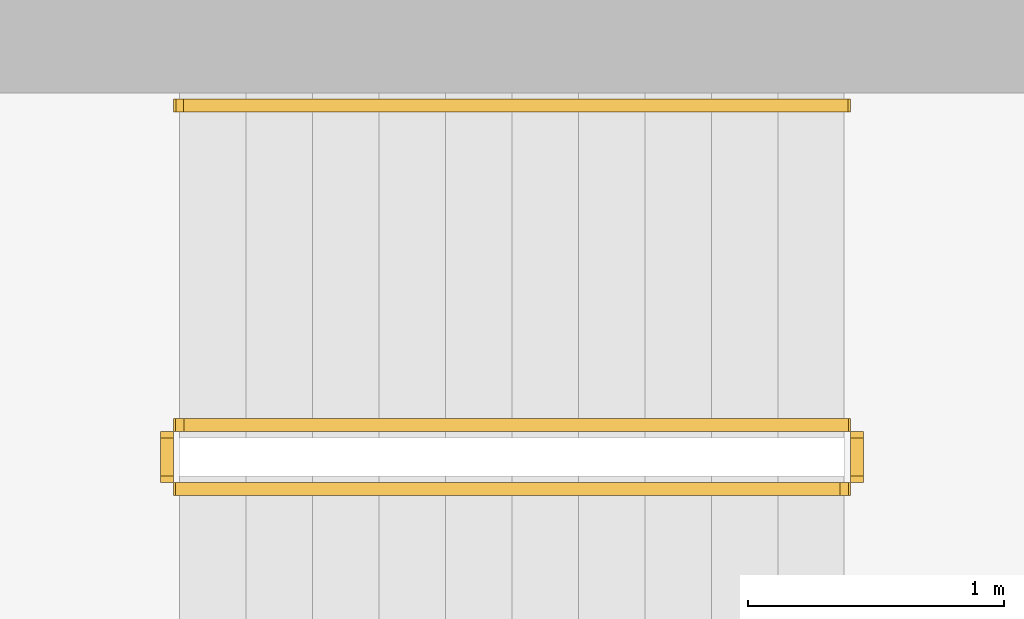
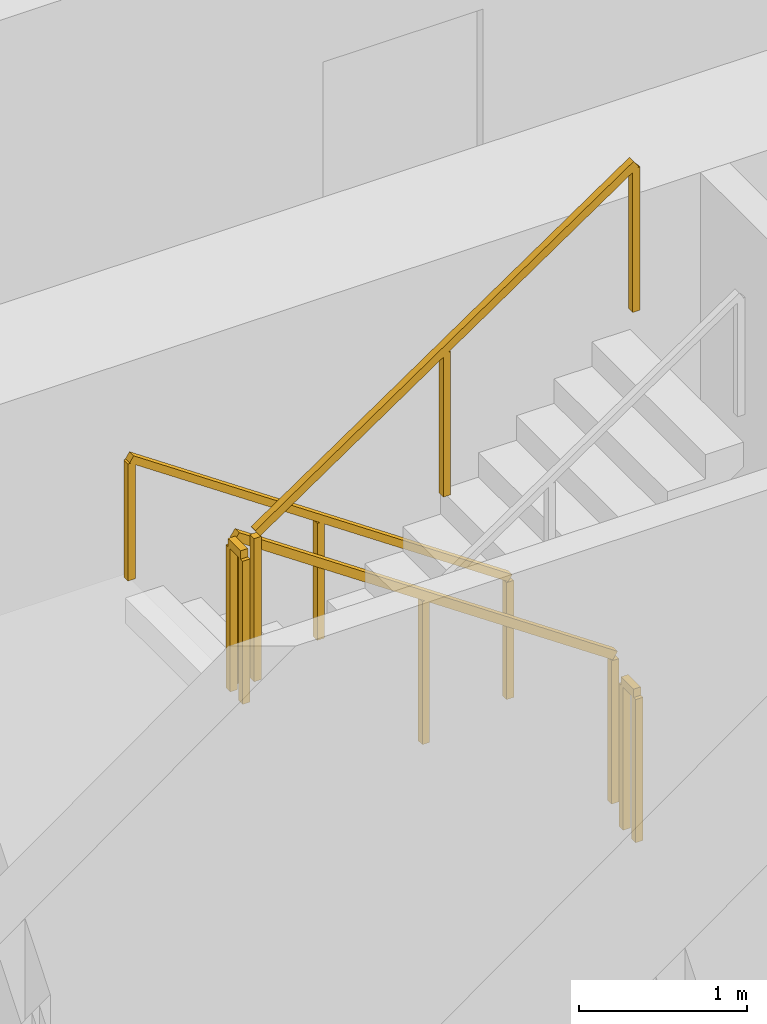
# One storey, part 14 of 15: 5 railings.
"""IFC4 building model written with IfcOpenShell, lengths in metres."""

from ifc_helpers import new_model, si_unit, direction, frame, origin, origin_2d, place, context, subcontext, project, spatial, rectangle, extrude, material, type_object, element, save


model = new_model("IFC4")

# Units and contexts
model_context = context("Model", 3, precision=1e-05, world=origin(), true_north=direction((0.0, 1.0)))
body_context = subcontext(model_context, "Body", "Model", "MODEL_VIEW")
ifc_project = project(units=[si_unit("LENGTHUNIT", "METRE"), si_unit("AREAUNIT", "SQUARE_METRE"), si_unit("VOLUMEUNIT", "CUBIC_METRE"), si_unit("PLANEANGLEUNIT", "RADIAN"), si_unit("MASSUNIT", "GRAM", prefix="KILO")], contexts=[model_context])

# Site, building, storey
site_placement = place(None, origin())
site = spatial("IfcSite", under=ifc_project, at=site_placement, CompositionType="ELEMENT")
building_placement = place(site_placement, origin())
building = spatial("IfcBuilding", under=site, at=building_placement, Name="Khepri Terraces", CompositionType="ELEMENT")
storey_placement = place(building_placement, frame((0.0, 0.0, 252.300048828125)))
storey = spatial("IfcBuildingStorey", under=building, at=storey_placement, Name="L60", CompositionType="ELEMENT", Elevation=252.300048828125)

# Railings
ifc_material = material(Name="Stainless steel 316", Category="steel")
railing_type_1 = type_object("IfcRailingType", Name="RL-CORE-GUARD", PredefinedType="GUARDRAIL", material=ifc_material)
railing_1_placement = place(storey_placement, frame((-0.25, 8.800048828125, 0.17724609375)))
element("IfcRailing", 1, at=railing_1_placement, inside=storey, type_object=railing_type_1, Name="L60 ST-3 stair guard 1", PredefinedType="GUARDRAIL", context=body_context, shape_type="SweptSolid", body=[
    extrude(rectangle(XDim=0.050048828125, YDim=0.06005859375, at=origin_2d()), frame((0.0, 0.0, 1.070068359375), z_axis=(-0.826240473404, 0.0, 0.563317565952), x_axis=(0.0, -1.0, 0.0)), (0.0, 0.0, 1.0), 3.14697265625),
    extrude(rectangle(XDim=0.050048828125, YDim=0.050048828125, at=origin_2d()), origin(), (0.0, 0.0, 1.0), 1.0400390625),
    extrude(rectangle(XDim=0.050048828125, YDim=0.050048828125, at=origin_2d()), frame((-1.300048828125, 0.0, 0.88623046875)), (0.0, 0.0, 1.0), 1.0400390625),
    extrude(rectangle(XDim=0.050048828125, YDim=0.050048828125, at=origin_2d()), frame((-2.60009765625, 0.0, 1.772705078125)), (0.0, 0.0, 1.0), 1.0400390625),
])
railing_2_placement = place(storey_placement, frame((-2.89990234375, 8.75, 1.949951171875)))
element("IfcRailing", 2, at=railing_2_placement, inside=storey, type_object=railing_type_1, Name="L60 ST-3 stair guard 2", PredefinedType="GUARDRAIL", context=body_context, shape_type="SweptSolid", body=[
    extrude(rectangle(XDim=0.050048828125, YDim=0.06005859375, at=origin_2d()), frame((0.0, 0.0, 1.070068359375), z_axis=(0.0, -1.0, 0.0), x_axis=(1.0, 0.0, 0.0)), (0.0, 0.0, 1.0), 0.14990234375),
    extrude(rectangle(XDim=0.050048828125, YDim=0.050048828125, at=origin_2d()), origin(), (0.0, 0.0, 1.0), 1.0400390625),
    extrude(rectangle(XDim=0.050048828125, YDim=0.050048828125, at=origin_2d()), frame((0.0, -0.14990234375, 0.0)), (0.0, 0.0, 1.0), 1.0400390625),
])
railing_3_placement = place(storey_placement, frame((-2.85009765625, 8.550048828125, 2.127197265625)))
element("IfcRailing", 3, at=railing_3_placement, inside=storey, type_object=railing_type_1, Name="L60 ST-3 stair guard 3", PredefinedType="GUARDRAIL", context=body_context, shape_type="SweptSolid", body=[
    extrude(rectangle(XDim=0.050048828125, YDim=0.06005859375, at=origin_2d()), frame((0.0, 0.0, 1.070068359375), z_axis=(0.826240473404, 0.0, 0.563317565952), x_axis=(0.0, 1.0, 0.0)), (0.0, 0.0, 1.0), 3.14697265625),
    extrude(rectangle(XDim=0.050048828125, YDim=0.050048828125, at=origin_2d()), origin(), (0.0, 0.0, 1.0), 1.0400390625),
    extrude(rectangle(XDim=0.050048828125, YDim=0.050048828125, at=origin_2d()), frame((1.300048828125, 0.0, 0.88623046875)), (0.0, 0.0, 1.0), 1.0400390625),
    extrude(rectangle(XDim=0.050048828125, YDim=0.050048828125, at=origin_2d()), frame((2.60009765625, 0.0, 1.772705078125)), (0.0, 0.0, 1.0), 1.0400390625),
])
railing_4_placement = place(storey_placement, frame((-0.199951171875, 8.75, 0.0)))
element("IfcRailing", 4, at=railing_4_placement, inside=storey, type_object=railing_type_1, Name="L60 ST-3 stair guard 4", PredefinedType="GUARDRAIL", context=body_context, shape_type="SweptSolid", body=[
    extrude(rectangle(XDim=0.050048828125, YDim=0.06005859375, at=origin_2d()), frame((0.0, 0.0, 1.070068359375), z_axis=(0.0, -1.0, 0.0), x_axis=(1.0, 0.0, 0.0)), (0.0, 0.0, 1.0), 0.14990234375),
    extrude(rectangle(XDim=0.050048828125, YDim=0.050048828125, at=origin_2d()), origin(), (0.0, 0.0, 1.0), 1.0400390625),
    extrude(rectangle(XDim=0.050048828125, YDim=0.050048828125, at=origin_2d()), frame((0.0, -0.14990234375, 0.0)), (0.0, 0.0, 1.0), 1.0400390625),
])
railing_type_2 = type_object("IfcRailingType", Name="RL-CORE-HANDRAIL", PredefinedType="HANDRAIL", material=ifc_material)
railing_5_placement = place(storey_placement, frame((-0.25, 10.050048828125, 0.17724609375)))
element("IfcRailing", 5, at=railing_5_placement, inside=storey, type_object=railing_type_2, Name="L60 ST-3 stair handrail 1", PredefinedType="HANDRAIL", context=body_context, shape_type="SweptSolid", body=[
    extrude(rectangle(XDim=0.050048828125, YDim=0.050048828125, at=origin_2d()), frame((0.0, 0.0, 0.875), z_axis=(-0.826240473404, 0.0, 0.563317565952), x_axis=(0.0, -1.0, 0.0)), (0.0, 0.0, 1.0), 3.14697265625),
    extrude(rectangle(XDim=0.050048828125, YDim=0.050048828125, at=origin_2d()), origin(), (0.0, 0.0, 1.0), 0.849853515625),
    extrude(rectangle(XDim=0.050048828125, YDim=0.050048828125, at=origin_2d()), frame((-1.300048828125, 0.0, 0.88623046875)), (0.0, 0.0, 1.0), 0.849853515625),
    extrude(rectangle(XDim=0.050048828125, YDim=0.050048828125, at=origin_2d()), frame((-2.60009765625, 0.0, 1.772705078125)), (0.0, 0.0, 1.0), 0.849853515625),
])

save(model, "model.ifc")
